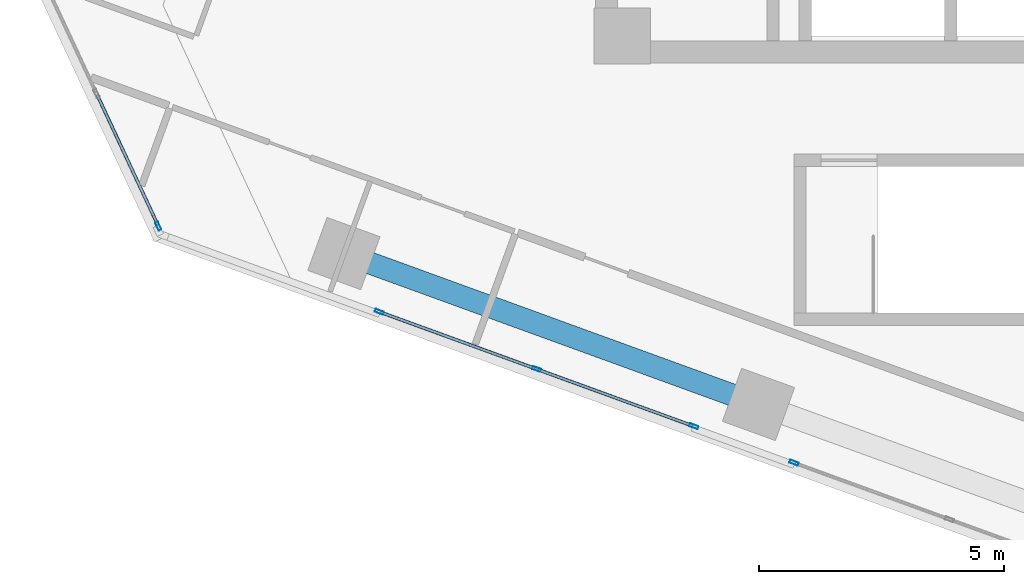
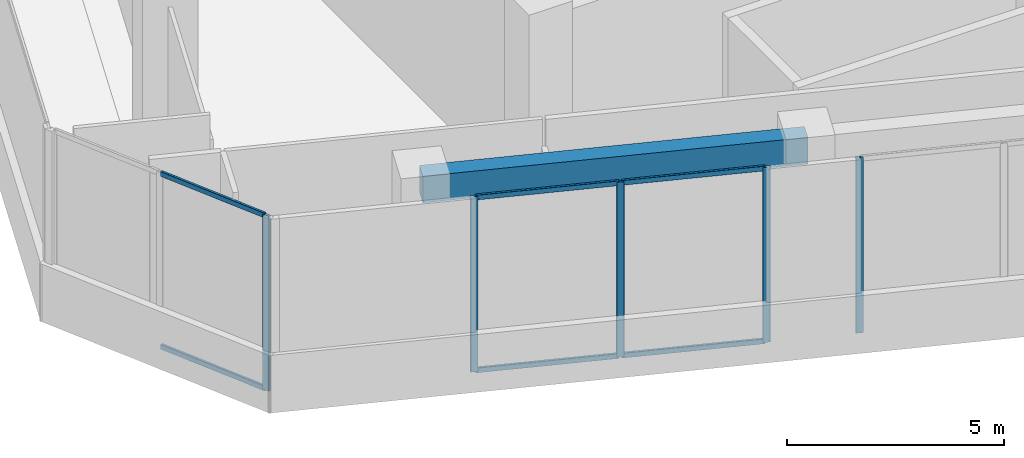
# One storey, part 2 of 21: 11 members, 1 beam, 3 elements without a shape of their own.
"""IFC4 building model written with IfcOpenShell, lengths in metres."""

from ifc_helpers import new_model, si_unit, direction, frame, origin, origin_2d, place, context, subcontext, project, spatial, rectangle, hollow_rectangle, extrude, source, transform, mapped, material, material_profile, profile_set, type_object, element, aggregate, save


model = new_model("IFC4")

# Units and contexts
model_context = context("Model", 3, precision=1e-05, world=origin(), true_north=direction((0.0, 1.0)))
body_context = subcontext(model_context, "Body", "Model", "MODEL_VIEW")
ifc_project = project(units=[si_unit("LENGTHUNIT", "METRE"), si_unit("AREAUNIT", "SQUARE_METRE"), si_unit("VOLUMEUNIT", "CUBIC_METRE"), si_unit("PLANEANGLEUNIT", "RADIAN"), si_unit("MASSUNIT", "GRAM", prefix="KILO")], contexts=[model_context])

# Site, building, storey
site_placement = place(None, origin())
site = spatial("IfcSite", under=ifc_project, at=site_placement, CompositionType="ELEMENT")
building_placement = place(site_placement, origin())
building = spatial("IfcBuilding", under=site, at=building_placement, Name="Torre Montelarca", CompositionType="ELEMENT")
storey_placement = place(building_placement, frame((0.0, 0.0, 127.60009765625)))
storey = spatial("IfcBuildingStorey", under=building, at=storey_placement, Name="L28", CompositionType="ELEMENT", Elevation=127.60009765625)

# Beam
ifc_material_1 = material(Name="Concrete C55/67", Category="concrete")
ifc_material_profile_1 = material_profile(ifc_material_1, rectangle(XDim=0.449951171875, YDim=0.75, at=origin_2d()), Name="RCB450X750", Category="concrete")
ifc_profile_set_1 = profile_set([ifc_material_profile_1], Name="Concrete C55/67")
beam_type = type_object("IfcBeamType", Name="BM-SP-RC750-EXT", PredefinedType="SPANDREL", material=ifc_profile_set_1)
shared_shape_1 = source(origin(), body_context, "Body", "SweptSolid", [
    extrude(rectangle(XDim=0.449951171875, YDim=0.75, at=origin_2d()), origin(), (0.0, 0.0, 1.0), 9.0),
])
beam_placement = place(storey_placement, frame((3.87109375, 20.112548828125, 4.784912109375), z_axis=(0.939695174234, -0.342013127703, 0.0), x_axis=(0.342013127703, 0.939695174234, 0.0)))
element("IfcBeam", 1, at=beam_placement, inside=storey, type_object=beam_type, Name="L28 Grid Girder X 9.0-18.0 at Y=14.8", PredefinedType="SPANDREL", context=body_context, shape_type="MappedRepresentation", body=[
    mapped(shared_shape_1, transform((0.0, 0.0, 0.0), scale=1.0)),
])

# Curtain wall, members
ifc_material_2 = material(Name="Insulated low-E laminated glass", Category="glass")
curtain_wall_type = type_object("IfcCurtainWallType", Name="CW-SYS-Z2", PredefinedType="USERDEFINED", material=ifc_material_2)
curtain_wall_1_placement = place(storey_placement, origin())
curtain_wall_1 = element("IfcCurtainWall", 2, at=curtain_wall_1_placement, inside=storey, type_object=curtain_wall_type, Name="L28 Curtain Wall Run CW-T3-L28-E11-B1", ObjectType="UNITISED GLAZING", PredefinedType="USERDEFINED")
ifc_material_3 = material(Name="Anodised aluminium AA 6063-T6", Category="aluminium")
ifc_material_profile_2 = material_profile(ifc_material_3, hollow_rectangle(XDim=0.06494140625, YDim=0.139892578125, WallThickness=0.00390625, InnerFilletRadius=0.00390625, OuterFilletRadius=0.008056640625, at=origin_2d()), Name="ALU65X140X4", Category="aluminium")
ifc_profile_set_2 = profile_set([ifc_material_profile_2], Name="Anodised aluminium AA 6063-T6")
member_type_1 = type_object("IfcMemberType", Name="CWT-ALU140", PredefinedType="USERDEFINED", material=ifc_profile_set_2)
shared_shape_2 = source(origin(), body_context, "Body", "SweptSolid", [
    extrude(hollow_rectangle(XDim=0.06494140625, YDim=0.139892578125, WallThickness=0.00390625, InnerFilletRadius=0.00390625, OuterFilletRadius=0.008056640625, at=origin_2d()), origin(), (0.0, 0.0, 1.0), 2.918701171875),
])
member_1_placement = place(storey_placement, frame((-1.160888671875, 23.34765625, 0.032470703125), z_axis=(0.422587791305, -0.90632199501, 0.0), x_axis=(0.90632199501, 0.422587791305, 0.0)))
member_1 = element("IfcMember", 3, at=member_1_placement, type_object=member_type_1, Name="CW transom 2.1", ObjectType="TRANSOM", PredefinedType="USERDEFINED", context=body_context, shape_type="MappedRepresentation", body=[
    mapped(shared_shape_2, transform((0.0, 0.0, 0.0), scale=1.0)),
])
member_2_placement = place(storey_placement, frame((-1.160888671875, 23.34765625, 4.887451171875), z_axis=(0.422587791305, -0.90632199501, 0.0), x_axis=(0.90632199501, 0.422587791305, 0.0)))
member_2 = element("IfcMember", 4, at=member_2_placement, type_object=member_type_1, Name="CW transom 2.2", ObjectType="TRANSOM", PredefinedType="USERDEFINED", context=body_context, shape_type="MappedRepresentation", body=[
    mapped(shared_shape_2, transform((0.0, 0.0, 0.0), scale=1.0)),
])

curtain_wall_2_placement = place(storey_placement, origin())
curtain_wall_2 = element("IfcCurtainWall", 5, at=curtain_wall_2_placement, inside=storey, type_object=curtain_wall_type, Name="L28 Curtain Wall Run CW-T3-L28-E01-B1", ObjectType="UNITISED GLAZING", PredefinedType="USERDEFINED")
ifc_material_profile_3 = material_profile(ifc_material_3, hollow_rectangle(XDim=0.06494140625, YDim=0.179931640625, WallThickness=0.00390625, InnerFilletRadius=0.00390625, OuterFilletRadius=0.008056640625, at=origin_2d()), Name="ALU65X180X4", Category="aluminium")
ifc_profile_set_3 = profile_set([ifc_material_profile_3], Name="Anodised aluminium AA 6063-T6")
member_type_2 = type_object("IfcMemberType", Name="CWM-ALU180", PredefinedType="MULLION", material=ifc_profile_set_3)
shared_shape_3 = source(origin(), body_context, "Body", "SweptSolid", [
    extrude(hollow_rectangle(XDim=0.06494140625, YDim=0.179931640625, WallThickness=0.00390625, InnerFilletRadius=0.00390625, OuterFilletRadius=0.008056640625, at=origin_2d()), origin(), (0.0, 0.0, 1.0), 4.919921875),
])
member_3_placement = place(storey_placement, frame((4.595458984375, 18.923095703125, 0.0), z_axis=(0.0, 0.0, 1.0), x_axis=(0.342004087108, 0.939698464616, 0.0)))
member_3 = element("IfcMember", 6, at=member_3_placement, type_object=member_type_2, Name="CW mullion 1", PredefinedType="MULLION", context=body_context, shape_type="MappedRepresentation", body=[
    mapped(shared_shape_3, transform((0.0, 0.0, 0.0), scale=1.0)),
])
member_4_placement = place(storey_placement, frame((7.80224609375, 17.755859375, 0.0), z_axis=(0.0, 0.0, 1.0), x_axis=(0.342004087108, 0.939698464616, 0.0)))
member_4 = element("IfcMember", 7, at=member_4_placement, type_object=member_type_2, Name="CW mullion 2", PredefinedType="MULLION", context=body_context, shape_type="MappedRepresentation", body=[
    mapped(shared_shape_3, transform((0.0, 0.0, 0.0), scale=1.0)),
])
member_5_placement = place(storey_placement, frame((11.0087890625, 16.5888671875, 0.0), z_axis=(0.0, 0.0, 1.0), x_axis=(0.342004087108, 0.939698464616, 0.0)))
member_5 = element("IfcMember", 8, at=member_5_placement, type_object=member_type_2, Name="CW mullion 3", PredefinedType="MULLION", context=body_context, shape_type="MappedRepresentation", body=[
    mapped(shared_shape_3, transform((0.0, 0.0, 0.0), scale=1.0)),
])

# Curtain wall, member
curtain_wall_3_placement = place(storey_placement, origin())
curtain_wall_3 = element("IfcCurtainWall", 9, at=curtain_wall_3_placement, inside=storey, type_object=curtain_wall_type, Name="L28 Curtain Wall Run CW-T3-L28-E01-B2", ObjectType="UNITISED GLAZING", PredefinedType="USERDEFINED")
member_6_placement = place(storey_placement, frame((13.052734375, 15.844970703125, 0.0), z_axis=(0.0, 0.0, 1.0), x_axis=(0.342019913043, 0.939692704602, 0.0)))
member_6 = element("IfcMember", 10, at=member_6_placement, type_object=member_type_2, Name="CW mullion 1", PredefinedType="MULLION", context=body_context, shape_type="MappedRepresentation", body=[
    mapped(shared_shape_3, transform((0.0, 0.0, 0.0), scale=1.0)),
])
aggregate(curtain_wall_3, [member_6])

# Member
member_7_placement = place(storey_placement, frame((0.086181640625, 20.6728515625, 0.0), z_axis=(0.0, 0.0, 1.0), x_axis=(0.906317349192, 0.422597755027, 0.0)))
member_7 = element("IfcMember", 11, at=member_7_placement, type_object=member_type_2, Name="CW mullion 3", PredefinedType="MULLION", context=body_context, shape_type="MappedRepresentation", body=[
    mapped(shared_shape_3, transform((0.0, 0.0, 0.0), scale=1.0)),
])

aggregate(curtain_wall_1, [member_7, member_1, member_2])

shared_shape_4 = source(origin(), body_context, "Body", "SweptSolid", [
    extrude(hollow_rectangle(XDim=0.06494140625, YDim=0.139892578125, WallThickness=0.00390625, InnerFilletRadius=0.00390625, OuterFilletRadius=0.008056640625, at=origin_2d()), origin(), (0.0, 0.0, 1.0), 3.34765625),
])
member_8_placement = place(storey_placement, frame((4.6259765625, 18.911865234375, 0.032470703125), z_axis=(0.939710350716, -0.341971426815, 0.0), x_axis=(0.341971426815, 0.939710350716, 0.0)))
member_8 = element("IfcMember", 12, at=member_8_placement, type_object=member_type_1, Name="CW transom 1.1", ObjectType="TRANSOM", PredefinedType="USERDEFINED", context=body_context, shape_type="MappedRepresentation", body=[
    mapped(shared_shape_4, transform((0.0, 0.0, 0.0), scale=1.0)),
])

member_9_placement = place(storey_placement, frame((4.6259765625, 18.911865234375, 4.887451171875), z_axis=(0.939710350716, -0.341971426815, 0.0), x_axis=(0.341971426815, 0.939710350716, 0.0)))
member_9 = element("IfcMember", 13, at=member_9_placement, type_object=member_type_1, Name="CW transom 1.2", ObjectType="TRANSOM", PredefinedType="USERDEFINED", context=body_context, shape_type="MappedRepresentation", body=[
    mapped(shared_shape_4, transform((0.0, 0.0, 0.0), scale=1.0)),
])

shared_shape_5 = source(origin(), body_context, "Body", "SweptSolid", [
    extrude(hollow_rectangle(XDim=0.06494140625, YDim=0.139892578125, WallThickness=0.00390625, InnerFilletRadius=0.00390625, OuterFilletRadius=0.008056640625, at=origin_2d()), origin(), (0.0, 0.0, 1.0), 3.347412109375),
])
member_10_placement = place(storey_placement, frame((7.832763671875, 17.744873046875, 0.032470703125), z_axis=(0.939678379855, -0.342059267426, 0.0), x_axis=(0.342059267426, 0.939678379855, 0.0)))
member_10 = element("IfcMember", 14, at=member_10_placement, type_object=member_type_1, Name="CW transom 2.1", ObjectType="TRANSOM", PredefinedType="USERDEFINED", context=body_context, shape_type="MappedRepresentation", body=[
    mapped(shared_shape_5, transform((0.0, 0.0, 0.0), scale=1.0)),
])

member_11_placement = place(storey_placement, frame((7.832763671875, 17.744873046875, 4.887451171875), z_axis=(0.939678379855, -0.342059267426, 0.0), x_axis=(0.342059267426, 0.939678379855, 0.0)))
member_11 = element("IfcMember", 15, at=member_11_placement, type_object=member_type_1, Name="CW transom 2.2", ObjectType="TRANSOM", PredefinedType="USERDEFINED", context=body_context, shape_type="MappedRepresentation", body=[
    mapped(shared_shape_5, transform((0.0, 0.0, 0.0), scale=1.0)),
])

aggregate(curtain_wall_2, [member_3, member_4, member_5, member_8, member_9, member_10, member_11])

save(model, "model.ifc")
